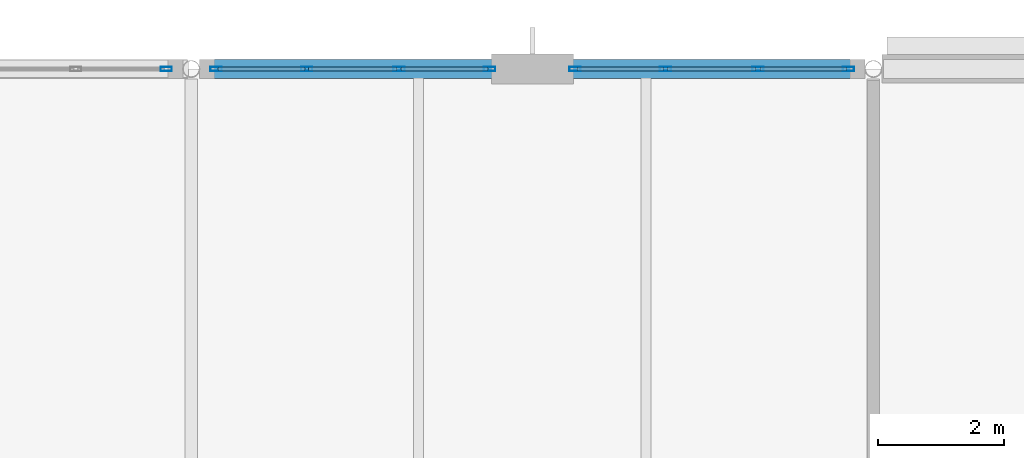
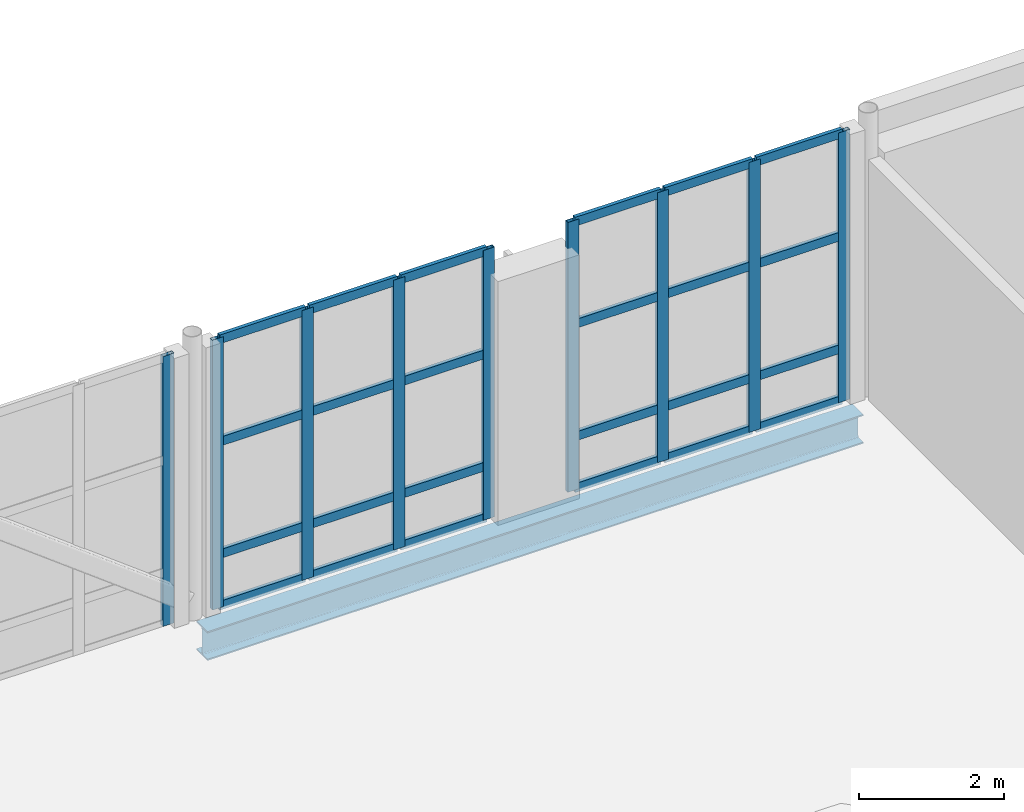
# One storey, part 47 of 100: 33 members, 1 beam, 3 elements without a shape of their own.
"""IFC4 building model written with IfcOpenShell, lengths in metres."""

from ifc_helpers import new_model, si_unit, direction, frame, origin, origin_2d, place, context, subcontext, project, spatial, hollow_rectangle, i_section, extrude, material, layer, layer_set, material_profile, profile_set, type_object, element, aggregate, save


model = new_model("IFC4")

# Units and contexts
model_context = context("Model", 3, precision=1e-05, world=origin(), true_north=direction((0.0, 1.0)))
body_context = subcontext(model_context, "Body", "Model", "MODEL_VIEW")
ifc_project = project(units=[si_unit("LENGTHUNIT", "METRE"), si_unit("AREAUNIT", "SQUARE_METRE"), si_unit("VOLUMEUNIT", "CUBIC_METRE"), si_unit("PLANEANGLEUNIT", "RADIAN"), si_unit("MASSUNIT", "GRAM", prefix="KILO")], contexts=[model_context])

# Site, building, storey
site_placement = place(None, origin())
site = spatial("IfcSite", under=ifc_project, at=site_placement, CompositionType="ELEMENT")
building_placement = place(site_placement, origin())
building = spatial("IfcBuilding", under=site, at=building_placement, Name="Tasgan Crest Museum", CompositionType="ELEMENT")
storey_placement = place(building_placement, frame((0.0, 0.0, 9.60009765625)))
storey = spatial("IfcBuildingStorey", under=building, at=storey_placement, Name="L02", CompositionType="ELEMENT", Elevation=9.60009765625)

# Beam
ifc_material_1 = material(Name="Steel S355J2", Category="steel")
ifc_material_profile_1 = material_profile(ifc_material_1, i_section(OverallWidth=0.300048828125, OverallDepth=0.489990234375, WebThickness=0.011962890625, FlangeThickness=0.02294921875, FilletRadius=0.027099609375, at=origin_2d()), Name="HEA 500")
ifc_profile_set_1 = profile_set([ifc_material_profile_1], Name="Steel S355J2")
beam_type = type_object("IfcBeamType", Name="BM-G-HEA500", PredefinedType="BEAM", material=ifc_profile_set_1)
beam_placement = place(storey_placement, frame((32.557861328125, 112.0, -0.485107421875), z_axis=(1.0, 0.0, 0.0), x_axis=(0.0, 1.0, 0.0)))
element("IfcBeam", 1, at=beam_placement, inside=storey, type_object=beam_type, Name="Girder L02 M 32.4-43.2", PredefinedType="BEAM", context=body_context, shape_type="SweptSolid", body=[
    extrude(i_section(OverallWidth=0.300048828125, OverallDepth=0.489990234375, WebThickness=0.011962890625, FlangeThickness=0.02294921875, FilletRadius=0.027099609375, at=origin_2d()), origin(), (0.0, 0.0, 1.0), 10.484130859375),
])

# Curtain wall, members
ifc_material_2 = material(Name="Triple-Glazed Aluminium Curtain Wall", Category="aluminium")
ifc_layer = layer(ifc_material_2, 0.179931640625, Name="CW-GAL-X-48")
ifc_layer_set = layer_set([ifc_layer], Name="Triple-Glazed Aluminium Curtain Wall")
curtain_wall_type = type_object("IfcCurtainWallType", Name="CW-GAL-X-48", PredefinedType="NOTDEFINED", material=ifc_layer_set)
curtain_wall_1_placement = place(storey_placement, origin())
curtain_wall_1 = element("IfcCurtainWall", 2, at=curtain_wall_1_placement, inside=storey, type_object=curtain_wall_type, Name="Curtain wall L02 087", PredefinedType="NOTDEFINED")
ifc_material_3 = material(Name="Anodised Aluminium", Category="aluminium")
ifc_material_profile_2 = material_profile(ifc_material_3, hollow_rectangle(XDim=0.06494140625, YDim=0.179931640625, WallThickness=0.0048828125, at=origin_2d()), Name="ALU MULLION 180x65x5")
ifc_profile_set_2 = profile_set([ifc_material_profile_2], Name="Anodised Aluminium")
member_type_1 = type_object("IfcMemberType", Name="CW-MULLION-180", PredefinedType="MULLION", material=ifc_profile_set_2)
member_1_placement = place(storey_placement, frame((42.804931640625, 112.0, 0.0), z_axis=(0.0, 0.0, 1.0), x_axis=(0.0, -1.0, 0.0)))
member_1 = element("IfcMember", 3, at=member_1_placement, type_object=member_type_1, Name="CW13 mullion 1", PredefinedType="MULLION", context=body_context, shape_type="SweptSolid", body=[
    extrude(hollow_rectangle(XDim=0.06494140625, YDim=0.179931640625, WallThickness=0.0048828125, at=origin_2d()), origin(), (0.0, 0.0, 1.0), 4.559814453125),
])
member_2_placement = place(storey_placement, frame((41.37158203125, 112.0, 0.0), z_axis=(0.0, 0.0, 1.0), x_axis=(0.0, -1.0, 0.0)))
member_2 = element("IfcMember", 4, at=member_2_placement, type_object=member_type_1, Name="CW13 mullion 2", PredefinedType="MULLION", context=body_context, shape_type="SweptSolid", body=[
    extrude(hollow_rectangle(XDim=0.06494140625, YDim=0.179931640625, WallThickness=0.0048828125, at=origin_2d()), origin(), (0.0, 0.0, 1.0), 4.559814453125),
])
member_3_placement = place(storey_placement, frame((39.908447265625, 112.0, 0.0), z_axis=(0.0, 0.0, 1.0), x_axis=(0.0, -1.0, 0.0)))
member_3 = element("IfcMember", 5, at=member_3_placement, type_object=member_type_1, Name="CW13 mullion 3", PredefinedType="MULLION", context=body_context, shape_type="SweptSolid", body=[
    extrude(hollow_rectangle(XDim=0.06494140625, YDim=0.179931640625, WallThickness=0.0048828125, at=origin_2d()), origin(), (0.0, 0.0, 1.0), 4.559814453125),
])
member_4_placement = place(storey_placement, frame((38.47509765625, 112.0, 0.0), z_axis=(0.0, 0.0, 1.0), x_axis=(0.0, -1.0, 0.0)))
member_4 = element("IfcMember", 6, at=member_4_placement, type_object=member_type_1, Name="CW13 mullion 4", PredefinedType="MULLION", context=body_context, shape_type="SweptSolid", body=[
    extrude(hollow_rectangle(XDim=0.06494140625, YDim=0.179931640625, WallThickness=0.0048828125, at=origin_2d()), origin(), (0.0, 0.0, 1.0), 4.559814453125),
])

curtain_wall_2_placement = place(storey_placement, origin())
curtain_wall_2 = element("IfcCurtainWall", 7, at=curtain_wall_2_placement, inside=storey, type_object=curtain_wall_type, Name="Curtain wall L02 088", PredefinedType="NOTDEFINED")
member_5_placement = place(storey_placement, frame((37.125, 112.0, 0.0), z_axis=(0.0, 0.0, 1.0), x_axis=(0.0, -1.0, 0.0)))
member_5 = element("IfcMember", 8, at=member_5_placement, type_object=member_type_1, Name="CW13 mullion 1", PredefinedType="MULLION", context=body_context, shape_type="SweptSolid", body=[
    extrude(hollow_rectangle(XDim=0.06494140625, YDim=0.179931640625, WallThickness=0.0048828125, at=origin_2d()), origin(), (0.0, 0.0, 1.0), 4.559814453125),
])
member_6_placement = place(storey_placement, frame((35.691650390625, 112.0, 0.0), z_axis=(0.0, 0.0, 1.0), x_axis=(0.0, -1.0, 0.0)))
member_6 = element("IfcMember", 9, at=member_6_placement, type_object=member_type_1, Name="CW13 mullion 2", PredefinedType="MULLION", context=body_context, shape_type="SweptSolid", body=[
    extrude(hollow_rectangle(XDim=0.06494140625, YDim=0.179931640625, WallThickness=0.0048828125, at=origin_2d()), origin(), (0.0, 0.0, 1.0), 4.559814453125),
])
member_7_placement = place(storey_placement, frame((34.228271484375, 112.0, 0.0), z_axis=(0.0, 0.0, 1.0), x_axis=(0.0, -1.0, 0.0)))
member_7 = element("IfcMember", 10, at=member_7_placement, type_object=member_type_1, Name="CW13 mullion 3", PredefinedType="MULLION", context=body_context, shape_type="SweptSolid", body=[
    extrude(hollow_rectangle(XDim=0.06494140625, YDim=0.179931640625, WallThickness=0.0048828125, at=origin_2d()), origin(), (0.0, 0.0, 1.0), 4.559814453125),
])
member_8_placement = place(storey_placement, frame((32.794921875, 112.0, 0.0), z_axis=(0.0, 0.0, 1.0), x_axis=(0.0, -1.0, 0.0)))
member_8 = element("IfcMember", 11, at=member_8_placement, type_object=member_type_1, Name="CW13 mullion 4", PredefinedType="MULLION", context=body_context, shape_type="SweptSolid", body=[
    extrude(hollow_rectangle(XDim=0.06494140625, YDim=0.179931640625, WallThickness=0.0048828125, at=origin_2d()), origin(), (0.0, 0.0, 1.0), 4.559814453125),
])

# Curtain wall, member
curtain_wall_3_placement = place(storey_placement, origin())
curtain_wall_3 = element("IfcCurtainWall", 12, at=curtain_wall_3_placement, inside=storey, type_object=curtain_wall_type, Name="Curtain wall L02 089", PredefinedType="NOTDEFINED")
member_9_placement = place(storey_placement, frame((32.0048828125, 112.0, 0.0), z_axis=(0.0, 0.0, 1.0), x_axis=(0.0, -1.0, 0.0)))
member_9 = element("IfcMember", 13, at=member_9_placement, type_object=member_type_1, Name="CW13 mullion 1", PredefinedType="MULLION", context=body_context, shape_type="SweptSolid", body=[
    extrude(hollow_rectangle(XDim=0.06494140625, YDim=0.179931640625, WallThickness=0.0048828125, at=origin_2d()), origin(), (0.0, 0.0, 1.0), 4.559814453125),
])
aggregate(curtain_wall_3, [member_9])

# Member
ifc_material_4 = material(Name="Anodised Aluminium", Category="aluminium")
ifc_material_profile_3 = material_profile(ifc_material_4, hollow_rectangle(XDim=0.06005859375, YDim=0.14990234375, WallThickness=0.0048828125, at=origin_2d()), Name="ALU TRANSOM 150x60x5")
ifc_profile_set_3 = profile_set([ifc_material_profile_3], Name="Anodised Aluminium")
member_type_2 = type_object("IfcMemberType", Name="CW-TRANSOM-150", PredefinedType="USERDEFINED", material=ifc_profile_set_3)
member_10_placement = place(storey_placement, frame((42.77490234375, 112.0, 0.02978515625), z_axis=(-1.0, 0.0, 0.0), x_axis=(0.0, -1.0, 0.0)))
member_10 = element("IfcMember", 14, at=member_10_placement, type_object=member_type_2, Name="CW13 transom 1.1", ObjectType="TRANSOM", PredefinedType="USERDEFINED", context=body_context, shape_type="SweptSolid", body=[
    extrude(hollow_rectangle(XDim=0.06005859375, YDim=0.14990234375, WallThickness=0.0048828125, at=origin_2d()), origin(), (0.0, 0.0, 1.0), 1.373291015625),
])

member_11_placement = place(storey_placement, frame((42.77490234375, 112.0, 0.89990234375), z_axis=(-1.0, 0.0, 0.0), x_axis=(0.0, -1.0, 0.0)))
member_11 = element("IfcMember", 15, at=member_11_placement, type_object=member_type_2, Name="CW13 transom 1.2", ObjectType="TRANSOM", PredefinedType="USERDEFINED", context=body_context, shape_type="SweptSolid", body=[
    extrude(hollow_rectangle(XDim=0.06005859375, YDim=0.14990234375, WallThickness=0.0048828125, at=origin_2d()), origin(), (0.0, 0.0, 1.0), 1.373291015625),
])

member_12_placement = place(storey_placement, frame((42.77490234375, 112.0, 2.7998046875), z_axis=(-1.0, 0.0, 0.0), x_axis=(0.0, -1.0, 0.0)))
member_12 = element("IfcMember", 16, at=member_12_placement, type_object=member_type_2, Name="CW13 transom 1.3", ObjectType="TRANSOM", PredefinedType="USERDEFINED", context=body_context, shape_type="SweptSolid", body=[
    extrude(hollow_rectangle(XDim=0.06005859375, YDim=0.14990234375, WallThickness=0.0048828125, at=origin_2d()), origin(), (0.0, 0.0, 1.0), 1.373291015625),
])

member_13_placement = place(storey_placement, frame((42.77490234375, 112.0, 4.52978515625), z_axis=(-1.0, 0.0, 0.0), x_axis=(0.0, -1.0, 0.0)))
member_13 = element("IfcMember", 17, at=member_13_placement, type_object=member_type_2, Name="CW13 transom 1.4", ObjectType="TRANSOM", PredefinedType="USERDEFINED", context=body_context, shape_type="SweptSolid", body=[
    extrude(hollow_rectangle(XDim=0.06005859375, YDim=0.14990234375, WallThickness=0.0048828125, at=origin_2d()), origin(), (0.0, 0.0, 1.0), 1.373291015625),
])

member_14_placement = place(storey_placement, frame((41.341552734375, 112.0, 0.02978515625), z_axis=(-1.0, 0.0, 0.0), x_axis=(0.0, -1.0, 0.0)))
member_14 = element("IfcMember", 18, at=member_14_placement, type_object=member_type_2, Name="CW13 transom 2.1", ObjectType="TRANSOM", PredefinedType="USERDEFINED", context=body_context, shape_type="SweptSolid", body=[
    extrude(hollow_rectangle(XDim=0.06005859375, YDim=0.14990234375, WallThickness=0.0048828125, at=origin_2d()), origin(), (0.0, 0.0, 1.0), 1.4033203125),
])

member_15_placement = place(storey_placement, frame((41.341552734375, 112.0, 0.89990234375), z_axis=(-1.0, 0.0, 0.0), x_axis=(0.0, -1.0, 0.0)))
member_15 = element("IfcMember", 19, at=member_15_placement, type_object=member_type_2, Name="CW13 transom 2.2", ObjectType="TRANSOM", PredefinedType="USERDEFINED", context=body_context, shape_type="SweptSolid", body=[
    extrude(hollow_rectangle(XDim=0.06005859375, YDim=0.14990234375, WallThickness=0.0048828125, at=origin_2d()), origin(), (0.0, 0.0, 1.0), 1.4033203125),
])

member_16_placement = place(storey_placement, frame((41.341552734375, 112.0, 2.7998046875), z_axis=(-1.0, 0.0, 0.0), x_axis=(0.0, -1.0, 0.0)))
member_16 = element("IfcMember", 20, at=member_16_placement, type_object=member_type_2, Name="CW13 transom 2.3", ObjectType="TRANSOM", PredefinedType="USERDEFINED", context=body_context, shape_type="SweptSolid", body=[
    extrude(hollow_rectangle(XDim=0.06005859375, YDim=0.14990234375, WallThickness=0.0048828125, at=origin_2d()), origin(), (0.0, 0.0, 1.0), 1.4033203125),
])

member_17_placement = place(storey_placement, frame((41.341552734375, 112.0, 4.52978515625), z_axis=(-1.0, 0.0, 0.0), x_axis=(0.0, -1.0, 0.0)))
member_17 = element("IfcMember", 21, at=member_17_placement, type_object=member_type_2, Name="CW13 transom 2.4", ObjectType="TRANSOM", PredefinedType="USERDEFINED", context=body_context, shape_type="SweptSolid", body=[
    extrude(hollow_rectangle(XDim=0.06005859375, YDim=0.14990234375, WallThickness=0.0048828125, at=origin_2d()), origin(), (0.0, 0.0, 1.0), 1.4033203125),
])

member_18_placement = place(storey_placement, frame((39.87841796875, 112.0, 0.02978515625), z_axis=(-1.0, 0.0, 0.0), x_axis=(0.0, -1.0, 0.0)))
member_18 = element("IfcMember", 22, at=member_18_placement, type_object=member_type_2, Name="CW13 transom 3.1", ObjectType="TRANSOM", PredefinedType="USERDEFINED", context=body_context, shape_type="SweptSolid", body=[
    extrude(hollow_rectangle(XDim=0.06005859375, YDim=0.14990234375, WallThickness=0.0048828125, at=origin_2d()), origin(), (0.0, 0.0, 1.0), 1.37353515625),
])

member_19_placement = place(storey_placement, frame((39.87841796875, 112.0, 0.89990234375), z_axis=(-1.0, 0.0, 0.0), x_axis=(0.0, -1.0, 0.0)))
member_19 = element("IfcMember", 23, at=member_19_placement, type_object=member_type_2, Name="CW13 transom 3.2", ObjectType="TRANSOM", PredefinedType="USERDEFINED", context=body_context, shape_type="SweptSolid", body=[
    extrude(hollow_rectangle(XDim=0.06005859375, YDim=0.14990234375, WallThickness=0.0048828125, at=origin_2d()), origin(), (0.0, 0.0, 1.0), 1.37353515625),
])

member_20_placement = place(storey_placement, frame((39.87841796875, 112.0, 2.7998046875), z_axis=(-1.0, 0.0, 0.0), x_axis=(0.0, -1.0, 0.0)))
member_20 = element("IfcMember", 24, at=member_20_placement, type_object=member_type_2, Name="CW13 transom 3.3", ObjectType="TRANSOM", PredefinedType="USERDEFINED", context=body_context, shape_type="SweptSolid", body=[
    extrude(hollow_rectangle(XDim=0.06005859375, YDim=0.14990234375, WallThickness=0.0048828125, at=origin_2d()), origin(), (0.0, 0.0, 1.0), 1.37353515625),
])

member_21_placement = place(storey_placement, frame((39.87841796875, 112.0, 4.52978515625), z_axis=(-1.0, 0.0, 0.0), x_axis=(0.0, -1.0, 0.0)))
member_21 = element("IfcMember", 25, at=member_21_placement, type_object=member_type_2, Name="CW13 transom 3.4", ObjectType="TRANSOM", PredefinedType="USERDEFINED", context=body_context, shape_type="SweptSolid", body=[
    extrude(hollow_rectangle(XDim=0.06005859375, YDim=0.14990234375, WallThickness=0.0048828125, at=origin_2d()), origin(), (0.0, 0.0, 1.0), 1.37353515625),
])

aggregate(curtain_wall_1, [member_1, member_2, member_3, member_4, member_10, member_11, member_12, member_13, member_14, member_15, member_16, member_17, member_18, member_19, member_20, member_21])

member_22_placement = place(storey_placement, frame((37.094970703125, 112.0, 0.02978515625), z_axis=(-1.0, 0.0, 0.0), x_axis=(0.0, -1.0, 0.0)))
member_22 = element("IfcMember", 26, at=member_22_placement, type_object=member_type_2, Name="CW13 transom 1.1", ObjectType="TRANSOM", PredefinedType="USERDEFINED", context=body_context, shape_type="SweptSolid", body=[
    extrude(hollow_rectangle(XDim=0.06005859375, YDim=0.14990234375, WallThickness=0.0048828125, at=origin_2d()), origin(), (0.0, 0.0, 1.0), 1.373291015625),
])

member_23_placement = place(storey_placement, frame((37.094970703125, 112.0, 0.89990234375), z_axis=(-1.0, 0.0, 0.0), x_axis=(0.0, -1.0, 0.0)))
member_23 = element("IfcMember", 27, at=member_23_placement, type_object=member_type_2, Name="CW13 transom 1.2", ObjectType="TRANSOM", PredefinedType="USERDEFINED", context=body_context, shape_type="SweptSolid", body=[
    extrude(hollow_rectangle(XDim=0.06005859375, YDim=0.14990234375, WallThickness=0.0048828125, at=origin_2d()), origin(), (0.0, 0.0, 1.0), 1.373291015625),
])

member_24_placement = place(storey_placement, frame((37.094970703125, 112.0, 2.7998046875), z_axis=(-1.0, 0.0, 0.0), x_axis=(0.0, -1.0, 0.0)))
member_24 = element("IfcMember", 28, at=member_24_placement, type_object=member_type_2, Name="CW13 transom 1.3", ObjectType="TRANSOM", PredefinedType="USERDEFINED", context=body_context, shape_type="SweptSolid", body=[
    extrude(hollow_rectangle(XDim=0.06005859375, YDim=0.14990234375, WallThickness=0.0048828125, at=origin_2d()), origin(), (0.0, 0.0, 1.0), 1.373291015625),
])

member_25_placement = place(storey_placement, frame((37.094970703125, 112.0, 4.52978515625), z_axis=(-1.0, 0.0, 0.0), x_axis=(0.0, -1.0, 0.0)))
member_25 = element("IfcMember", 29, at=member_25_placement, type_object=member_type_2, Name="CW13 transom 1.4", ObjectType="TRANSOM", PredefinedType="USERDEFINED", context=body_context, shape_type="SweptSolid", body=[
    extrude(hollow_rectangle(XDim=0.06005859375, YDim=0.14990234375, WallThickness=0.0048828125, at=origin_2d()), origin(), (0.0, 0.0, 1.0), 1.373291015625),
])

member_26_placement = place(storey_placement, frame((35.66162109375, 112.0, 0.02978515625), z_axis=(-1.0, 0.0, 0.0), x_axis=(0.0, -1.0, 0.0)))
member_26 = element("IfcMember", 30, at=member_26_placement, type_object=member_type_2, Name="CW13 transom 2.1", ObjectType="TRANSOM", PredefinedType="USERDEFINED", context=body_context, shape_type="SweptSolid", body=[
    extrude(hollow_rectangle(XDim=0.06005859375, YDim=0.14990234375, WallThickness=0.0048828125, at=origin_2d()), origin(), (0.0, 0.0, 1.0), 1.4033203125),
])

member_27_placement = place(storey_placement, frame((35.66162109375, 112.0, 0.89990234375), z_axis=(-1.0, 0.0, 0.0), x_axis=(0.0, -1.0, 0.0)))
member_27 = element("IfcMember", 31, at=member_27_placement, type_object=member_type_2, Name="CW13 transom 2.2", ObjectType="TRANSOM", PredefinedType="USERDEFINED", context=body_context, shape_type="SweptSolid", body=[
    extrude(hollow_rectangle(XDim=0.06005859375, YDim=0.14990234375, WallThickness=0.0048828125, at=origin_2d()), origin(), (0.0, 0.0, 1.0), 1.4033203125),
])

member_28_placement = place(storey_placement, frame((35.66162109375, 112.0, 2.7998046875), z_axis=(-1.0, 0.0, 0.0), x_axis=(0.0, -1.0, 0.0)))
member_28 = element("IfcMember", 32, at=member_28_placement, type_object=member_type_2, Name="CW13 transom 2.3", ObjectType="TRANSOM", PredefinedType="USERDEFINED", context=body_context, shape_type="SweptSolid", body=[
    extrude(hollow_rectangle(XDim=0.06005859375, YDim=0.14990234375, WallThickness=0.0048828125, at=origin_2d()), origin(), (0.0, 0.0, 1.0), 1.4033203125),
])

member_29_placement = place(storey_placement, frame((35.66162109375, 112.0, 4.52978515625), z_axis=(-1.0, 0.0, 0.0), x_axis=(0.0, -1.0, 0.0)))
member_29 = element("IfcMember", 33, at=member_29_placement, type_object=member_type_2, Name="CW13 transom 2.4", ObjectType="TRANSOM", PredefinedType="USERDEFINED", context=body_context, shape_type="SweptSolid", body=[
    extrude(hollow_rectangle(XDim=0.06005859375, YDim=0.14990234375, WallThickness=0.0048828125, at=origin_2d()), origin(), (0.0, 0.0, 1.0), 1.4033203125),
])

member_30_placement = place(storey_placement, frame((34.1982421875, 112.0, 0.02978515625), z_axis=(-1.0, 0.0, 0.0), x_axis=(0.0, -1.0, 0.0)))
member_30 = element("IfcMember", 34, at=member_30_placement, type_object=member_type_2, Name="CW13 transom 3.1", ObjectType="TRANSOM", PredefinedType="USERDEFINED", context=body_context, shape_type="SweptSolid", body=[
    extrude(hollow_rectangle(XDim=0.06005859375, YDim=0.14990234375, WallThickness=0.0048828125, at=origin_2d()), origin(), (0.0, 0.0, 1.0), 1.373291015625),
])

member_31_placement = place(storey_placement, frame((34.1982421875, 112.0, 0.89990234375), z_axis=(-1.0, 0.0, 0.0), x_axis=(0.0, -1.0, 0.0)))
member_31 = element("IfcMember", 35, at=member_31_placement, type_object=member_type_2, Name="CW13 transom 3.2", ObjectType="TRANSOM", PredefinedType="USERDEFINED", context=body_context, shape_type="SweptSolid", body=[
    extrude(hollow_rectangle(XDim=0.06005859375, YDim=0.14990234375, WallThickness=0.0048828125, at=origin_2d()), origin(), (0.0, 0.0, 1.0), 1.373291015625),
])

member_32_placement = place(storey_placement, frame((34.1982421875, 112.0, 2.7998046875), z_axis=(-1.0, 0.0, 0.0), x_axis=(0.0, -1.0, 0.0)))
member_32 = element("IfcMember", 36, at=member_32_placement, type_object=member_type_2, Name="CW13 transom 3.3", ObjectType="TRANSOM", PredefinedType="USERDEFINED", context=body_context, shape_type="SweptSolid", body=[
    extrude(hollow_rectangle(XDim=0.06005859375, YDim=0.14990234375, WallThickness=0.0048828125, at=origin_2d()), origin(), (0.0, 0.0, 1.0), 1.373291015625),
])

member_33_placement = place(storey_placement, frame((34.1982421875, 112.0, 4.52978515625), z_axis=(-1.0, 0.0, 0.0), x_axis=(0.0, -1.0, 0.0)))
member_33 = element("IfcMember", 37, at=member_33_placement, type_object=member_type_2, Name="CW13 transom 3.4", ObjectType="TRANSOM", PredefinedType="USERDEFINED", context=body_context, shape_type="SweptSolid", body=[
    extrude(hollow_rectangle(XDim=0.06005859375, YDim=0.14990234375, WallThickness=0.0048828125, at=origin_2d()), origin(), (0.0, 0.0, 1.0), 1.373291015625),
])

aggregate(curtain_wall_2, [member_5, member_6, member_7, member_8, member_22, member_23, member_24, member_25, member_26, member_27, member_28, member_29, member_30, member_31, member_32, member_33])

save(model, "model.ifc")
